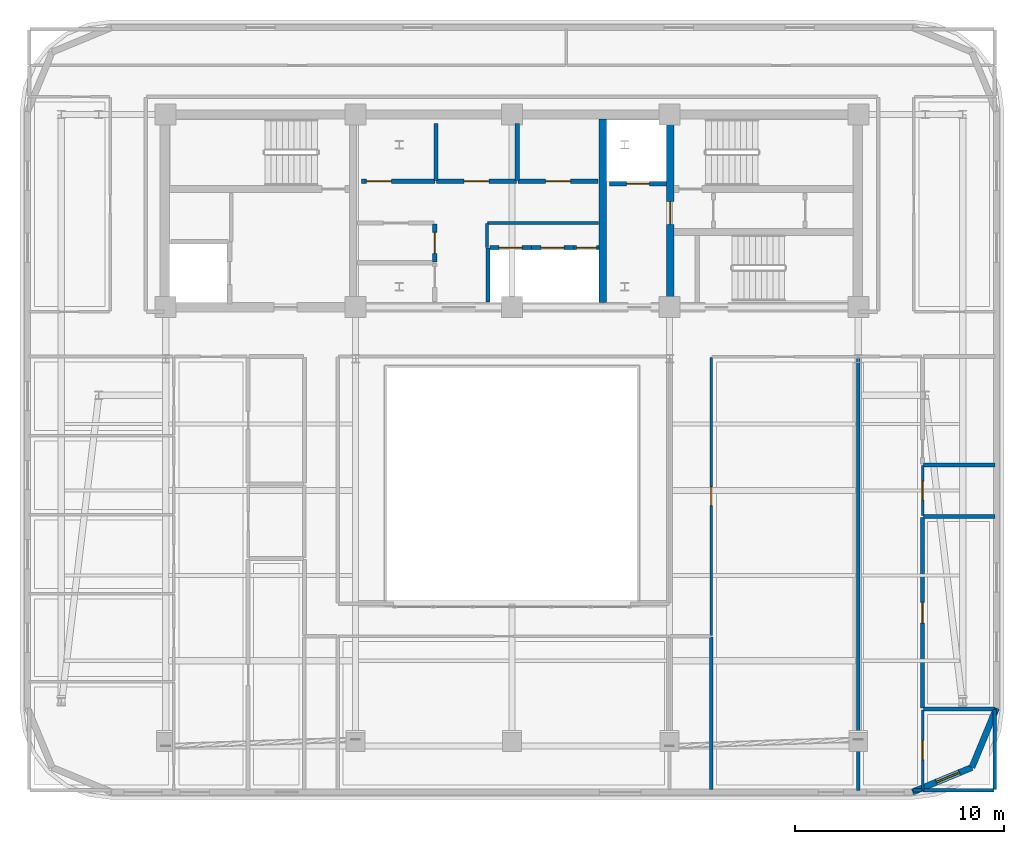
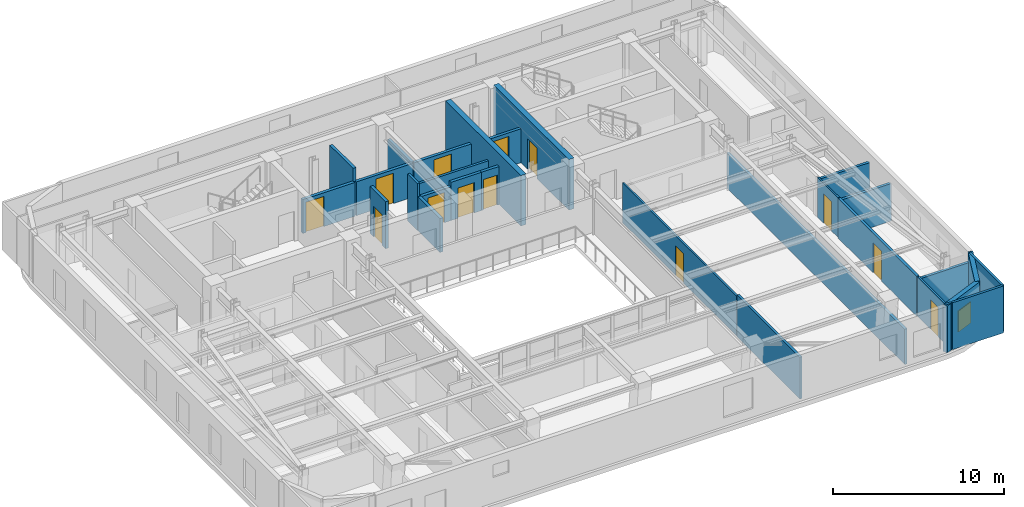
# One storey, part 8 of 14: 29 walls, 13 doors, 1 window, 14 openings.
"""IFC4 building model written with IfcOpenShell, lengths in metres."""

from ifc_helpers import new_model, si_unit, direction, frame, frame_2d, origin, place, context, subcontext, project, spatial, rectangle, extrude, material, layer, layer_set, type_object, element, fill, save


model = new_model("IFC4")

# Units and contexts
model_context = context("Model", 3, precision=1e-05, world=origin(), true_north=direction((0.0, 1.0)))
body_context = subcontext(model_context, "Body", "Model", "MODEL_VIEW")
ifc_project = project(units=[si_unit("LENGTHUNIT", "METRE"), si_unit("AREAUNIT", "SQUARE_METRE"), si_unit("VOLUMEUNIT", "CUBIC_METRE"), si_unit("PLANEANGLEUNIT", "RADIAN"), si_unit("MASSUNIT", "GRAM", prefix="KILO")], contexts=[model_context])

# Site, building, storey
site_placement = place(None, origin())
site = spatial("IfcSite", under=ifc_project, at=site_placement, CompositionType="ELEMENT")
building_placement = place(site_placement, origin())
building = spatial("IfcBuilding", under=site, at=building_placement, Name="Zarnavel Station Tower", CompositionType="ELEMENT")
storey_placement = place(building_placement, frame((0.0, 0.0, 211.199951171875)))
storey = spatial("IfcBuildingStorey", under=building, at=storey_placement, Name="L57", CompositionType="ELEMENT", Elevation=211.199951171875)

# Wall
ifc_material_1 = material(Name="Concrete C50/60", Category="concrete")
ifc_layer_1 = layer(ifc_material_1, 0.35009765625)
ifc_layer_set_1 = layer_set([ifc_layer_1], Name="CW_350")
wall_type_1 = type_object("IfcWallType", Name="CW_350", PredefinedType="SHEAR", material=ifc_layer_set_1)
wall_1_placement = place(storey_placement, frame((33.14990234375, 28.044921875, 0.0), z_axis=(0.0, 0.0, 1.0), x_axis=(0.0, 1.0, 0.0)))
element("IfcWall", 1, at=wall_1_placement, inside=storey, type_object=wall_type_1, Name="L57 Rear Core Shear Wall DIV-E", PredefinedType="SHEAR", context=body_context, shape_type="SweptSolid", body=[
    extrude(rectangle(XDim=8.780029296875, YDim=0.35009765625, at=frame_2d((4.39013671875, 0.0))), origin(), (0.0, 0.0, 1.0), 3.60009765625),
])

# Wall, opening, door
wall_2_placement = place(storey_placement, frame((36.3798828125, 28.044921875, 0.0), z_axis=(0.0, 0.0, 1.0), x_axis=(0.0, 1.0, 0.0)))
wall_2 = element("IfcWall", 2, at=wall_2_placement, inside=storey, type_object=wall_type_1, Name="L57 Rear Core Shear Wall DIV-S2", PredefinedType="SHEAR", context=body_context, shape_type="SweptSolid", body=[
    extrude(rectangle(XDim=8.780029296875, YDim=0.35009765625, at=frame_2d((4.39013671875, 0.0))), origin(), (0.0, 0.0, 1.0), 3.60009765625),
])
opening_1_placement = place(wall_2_placement, frame((3.735107421875, 0.0, 0.0)))
opening_1 = element("IfcOpeningElement", 3, at=opening_1_placement, cuts=wall_2, Name="Opening FD01", PredefinedType="OPENING", context=body_context, shape_type="SweptSolid", body=[
    extrude(rectangle(XDim=1.10009765625, YDim=2.14990234375, at=frame_2d((0.550048828125, 1.074951171875))), frame((0.0, 0.18505859375, 0.0), z_axis=(0.0, -1.0, 0.0), x_axis=(1.0, 0.0, 0.0)), (0.0, 0.0, 1.0), 0.3701171875),
])
ifc_material_2 = material(Name="Painted Galvanised Steel and Hardwood Leaf", Category="steel")
door_type_1 = type_object("IfcDoorType", Name="ID_STAIR_1100", OperationType="NOTDEFINED", PredefinedType="DOOR", material=ifc_material_2)
door_1_placement = place(opening_1_placement, origin())
door_1 = element("IfcDoor", 4, at=door_1_placement, inside=storey, type_object=door_type_1, Name="L57 East Stair Vestibule Fire Door", OperationType="SINGLE_SWING_LEFT", OverallHeight=2.14990234375, OverallWidth=1.10009765625, PredefinedType="DOOR", context=body_context, shape_type="SweptSolid", body=[
    extrude(rectangle(XDim=1.10009765625, YDim=2.14990234375, at=frame_2d((0.550048828125, 1.074951171875))), frame((0.0, 0.02490234375, 0.0), z_axis=(0.0, -1.0, 0.0), x_axis=(1.0, 0.0, 0.0)), (0.0, 0.0, 1.0), 0.050048828125),
])
fill(opening_1, door_1)

# Wall, opening, window
ifc_material_3 = material(Name="Precast concrete C45/55 (Dark Basalt Finish)", Category="masonry")
ifc_layer_2 = layer(ifc_material_3, 0.300048828125)
ifc_layer_set_2 = layer_set([ifc_layer_2], Name="EW_BASALT_300")
wall_type_2 = type_object("IfcWallType", Name="EW_BASALT_300", PredefinedType="SOLIDWALL", material=ifc_layer_set_2)
wall_3_placement = place(storey_placement, frame((50.842529296875, 5.75732421875, 0.0), z_axis=(0.0, 0.0, 1.0), x_axis=(-0.92389884758, -0.382636798336, 0.0)))
wall_3 = element("IfcWall", 5, at=wall_3_placement, inside=storey, type_object=wall_type_2, Name="L57 Exterior Basalt Masonry Frame Wall 01", PredefinedType="SOLIDWALL", context=body_context, shape_type="SweptSolid", body=[
    extrude(rectangle(XDim=3.07666015625, YDim=0.300048828125, at=frame_2d((1.538330078125, 0.0))), origin(), (0.0, 0.0, 1.0), 3.340087890625),
])
opening_2_placement = place(wall_3_placement, frame((0.643798828125, 0.0, 0.75)))
opening_2 = element("IfcOpeningElement", 6, at=opening_2_placement, cuts=wall_3, Name="Opening WN08", PredefinedType="OPENING", context=body_context, shape_type="SweptSolid", body=[
    extrude(rectangle(XDim=1.199951171875, YDim=1.5, at=frame_2d((0.60009765625, 0.75))), frame((0.0, 0.159912109375, 0.0), z_axis=(0.0, -1.0, 0.0), x_axis=(1.0, 0.0, 0.0)), (0.0, 0.0, 1.0), 0.320068359375),
])
ifc_material_4 = material(Name="Thermally Broken Black Aluminium and Low-E Dark Glass", Category="aluminium")
window_type = type_object("IfcWindowType", Name="WN_1200x1500", PartitioningType="SINGLE_PANEL", PredefinedType="WINDOW", material=ifc_material_4)
window_placement = place(opening_2_placement, origin())
window = element("IfcWindow", 7, at=window_placement, inside=storey, type_object=window_type, Name="L57 Recessed Facade Window 01", OverallHeight=1.5, OverallWidth=1.199951171875, PartitioningType="SINGLE_PANEL", PredefinedType="WINDOW", context=body_context, shape_type="SweptSolid", body=[
    extrude(rectangle(XDim=1.199951171875, YDim=1.5, at=frame_2d((0.60009765625, 0.75))), frame((0.0, 0.030029296875, 0.0), z_axis=(0.0, -1.0, 0.0), x_axis=(1.0, 0.0, 0.0)), (0.0, 0.0, 1.0), 0.06005859375),
])
fill(opening_2, window)

# Walls
wall_4_placement = place(storey_placement, frame((52.02001953125, 8.60009765625, 0.0), z_axis=(0.0, 0.0, 1.0), x_axis=(-0.382676475685, -0.923882414032, 0.0)))
element("IfcWall", 8, at=wall_4_placement, inside=storey, type_object=wall_type_2, Name="L57 Exterior Basalt Masonry Frame Wall 02", PredefinedType="SOLIDWALL", context=body_context, shape_type="SweptSolid", body=[
    extrude(rectangle(XDim=3.076904296875, YDim=0.300048828125, at=frame_2d((1.53857421875, 0.0))), origin(), (0.0, 0.0, 1.0), 3.340087890625),
])
ifc_material_5 = material(Name="Gypsum Twin-Stud Acoustic Fire Partition", Category="concrete")
ifc_layer_3 = layer(ifc_material_5, 0.159912109375)
ifc_layer_set_3 = layer_set([ifc_layer_3], Name="PT_DEMISE_160")
wall_type_3 = type_object("IfcWallType", Name="PT_DEMISE_160", PredefinedType="PARTITIONING", material=ifc_layer_set_3)
wall_5_placement = place(storey_placement, frame((45.39990234375, 4.659912109375, 0.0), z_axis=(0.0, 0.0, 1.0), x_axis=(0.0, 1.0, 0.0)))
element("IfcWall", 9, at=wall_5_placement, inside=storey, type_object=wall_type_3, Name="L57 Partition L57FIT-UE1LV", PredefinedType="PARTITIONING", context=body_context, shape_type="SweptSolid", body=[
    extrude(rectangle(XDim=20.75, YDim=0.159912109375, at=frame_2d((10.375, 0.0))), origin(), (0.0, 0.0, 1.0), 2.52001953125),
])
wall_6_placement = place(storey_placement, frame((27.6298828125, 31.85009765625, 0.0), z_axis=(0.0, 0.0, 1.0), x_axis=(1.0, 0.0, 0.0)))
element("IfcWall", 10, at=wall_6_placement, inside=storey, type_object=wall_type_3, Name="L57 Enclosure Wall LLOB", PredefinedType="PARTITIONING", context=body_context, shape_type="SweptSolid", body=[
    extrude(rectangle(XDim=5.31005859375, YDim=0.159912109375, at=frame_2d((2.655029296875, 0.0))), origin(), (0.0, 0.0, 1.0), 2.41015625),
])
wall_7_placement = place(storey_placement, frame((27.60009765625, 30.679931640625, 0.0), z_axis=(0.0, 0.0, 1.0), x_axis=(0.0, 1.0, 0.0)))
element("IfcWall", 11, at=wall_7_placement, inside=storey, type_object=wall_type_3, Name="L57 Enclosure Wall LLOBS", PredefinedType="PARTITIONING", context=body_context, shape_type="SweptSolid", body=[
    extrude(rectangle(XDim=1.14013671875, YDim=0.159912109375, at=frame_2d((0.570068359375, 0.0))), origin(), (0.0, 0.0, 1.0), 3.340087890625),
])
wall_8_placement = place(storey_placement, frame((38.35009765625, 4.68994140625, 0.0), z_axis=(0.0, 0.0, 1.0), x_axis=(0.0, 1.0, 0.0)))
element("IfcWall", 12, at=wall_8_placement, inside=storey, type_object=wall_type_3, Name="L57 Enclosure Wall L57FIT", PredefinedType="PARTITIONING", context=body_context, shape_type="SweptSolid", body=[
    extrude(rectangle(XDim=7.330078125, YDim=0.159912109375, at=frame_2d((3.6650390625, 0.0))), origin(), (0.0, 0.0, 1.0), 2.969970703125),
])
wall_9_placement = place(storey_placement, frame((48.030029296875, 4.659912109375, 0.0), z_axis=(0.0, 0.0, 1.0), x_axis=(1.0, 0.0, 0.0)))
element("IfcWall", 13, at=wall_9_placement, inside=storey, type_object=wall_type_3, Name="L57 Enclosure Wall UE1LV", PredefinedType="PARTITIONING", context=body_context, shape_type="SweptSolid", body=[
    extrude(rectangle(XDim=0.4140625, YDim=0.159912109375, at=frame_2d((0.20703125, 0.0))), origin(), (0.0, 0.0, 1.0), 3.340087890625),
])
wall_10_placement = place(storey_placement, frame((48.50390625, 4.659912109375, 0.0), z_axis=(0.0, 0.0, 1.0), x_axis=(1.0, 0.0, 0.0)))
element("IfcWall", 14, at=wall_10_placement, inside=storey, type_object=wall_type_3, Name="L57 Enclosure Wall UE1B1", PredefinedType="PARTITIONING", context=body_context, shape_type="SweptSolid", body=[
    extrude(rectangle(XDim=3.406005859375, YDim=0.159912109375, at=frame_2d((1.703125, 0.0))), origin(), (0.0, 0.0, 1.0), 3.340087890625),
])
wall_11_placement = place(storey_placement, frame((51.93994140625, 4.68994140625, 0.0), z_axis=(0.0, 0.0, 1.0), x_axis=(0.0, 1.0, 0.0)))
element("IfcWall", 15, at=wall_11_placement, inside=storey, type_object=wall_type_3, Name="L57 Enclosure Wall UE1B1", PredefinedType="PARTITIONING", context=body_context, shape_type="SweptSolid", body=[
    extrude(rectangle(XDim=3.8349609375, YDim=0.159912109375, at=frame_2d((1.91748046875, 0.0))), origin(), (0.0, 0.0, 1.0), 3.340087890625),
])

# Wall, opening, door
ifc_material_6 = material(Name="Gypsum Metal-Stud Interior Partition", Category="concrete")
ifc_layer_4 = layer(ifc_material_6, 0.1201171875)
ifc_layer_set_4 = layer_set([ifc_layer_4], Name="PT_ROOM_120")
wall_type_4 = type_object("IfcWallType", Name="PT_ROOM_120", PredefinedType="PARTITIONING", material=ifc_layer_set_4)
wall_12_placement = place(storey_placement, frame((38.35009765625, 12.090087890625, 0.0), z_axis=(0.0, 0.0, 1.0), x_axis=(0.0, 1.0, 0.0)))
wall_12 = element("IfcWall", 16, at=wall_12_placement, inside=storey, type_object=wall_type_4, Name="L57 Partition COR-AE-L57FIT", PredefinedType="PARTITIONING", context=body_context, shape_type="SweptSolid", body=[
    extrude(rectangle(XDim=13.31982421875, YDim=0.1201171875, at=frame_2d((6.659912109375, 0.0))), origin(), (0.0, 0.0, 1.0), 2.820068359375),
])
opening_3_placement = place(wall_12_placement, frame((6.2099609375, 0.0, 0.0)))
opening_3 = element("IfcOpeningElement", 17, at=opening_3_placement, cuts=wall_12, Name="Opening ID01", PredefinedType="OPENING", context=body_context, shape_type="SweptSolid", body=[
    extrude(rectangle(XDim=0.89990234375, YDim=2.10009765625, at=frame_2d((0.449951171875, 1.050048828125))), frame((0.0, 0.070068359375, 0.0), z_axis=(0.0, -1.0, 0.0), x_axis=(1.0, 0.0, 0.0)), (0.0, 0.0, 1.0), 0.14013671875),
])
ifc_material_7 = material(Name="Painted Galvanised Steel and Hardwood Leaf", Category="steel")
door_type_2 = type_object("IfcDoorType", Name="ID_ROOM_900", OperationType="NOTDEFINED", PredefinedType="DOOR", material=ifc_material_7)
door_2_placement = place(opening_3_placement, origin())
door_2 = element("IfcDoor", 18, at=door_2_placement, inside=storey, type_object=door_type_2, Name="L57 Door COR-AE-L57FIT", OperationType="SINGLE_SWING_RIGHT", OverallHeight=2.10009765625, OverallWidth=0.89990234375, PredefinedType="DOOR", context=body_context, shape_type="SweptSolid", body=[
    extrude(rectangle(XDim=0.89990234375, YDim=2.10009765625, at=frame_2d((0.449951171875, 1.050048828125))), frame((0.0, 0.02490234375, 0.0), z_axis=(0.0, -1.0, 0.0), x_axis=(1.0, 0.0, 0.0)), (0.0, 0.0, 1.0), 0.050048828125),
])
fill(opening_3, door_2)

wall_13_placement = place(storey_placement, frame((48.47412109375, 4.659912109375, 0.0), z_axis=(0.0, 0.0, 1.0), x_axis=(0.0, 1.0, 0.0)))
wall_13 = element("IfcWall", 19, at=wall_13_placement, inside=storey, type_object=wall_type_4, Name="L57 Partition UE1LV-UE1B1", PredefinedType="PARTITIONING", context=body_context, shape_type="SweptSolid", body=[
    extrude(rectangle(XDim=3.85498046875, YDim=0.1201171875, at=frame_2d((1.927490234375, 0.0))), origin(), (0.0, 0.0, 1.0), 2.820068359375),
])
opening_4_placement = place(wall_13_placement, frame((1.4775390625, 0.0, 0.0)))
opening_4 = element("IfcOpeningElement", 20, at=opening_4_placement, cuts=wall_13, Name="Opening ID01", PredefinedType="OPENING", context=body_context, shape_type="SweptSolid", body=[
    extrude(rectangle(XDim=0.89990234375, YDim=2.10009765625, at=frame_2d((0.449951171875, 1.050048828125))), frame((0.0, 0.070068359375, 0.0), z_axis=(0.0, -1.0, 0.0), x_axis=(1.0, 0.0, 0.0)), (0.0, 0.0, 1.0), 0.14013671875),
])
door_3_placement = place(opening_4_placement, origin())
door_3 = element("IfcDoor", 21, at=door_3_placement, inside=storey, type_object=door_type_2, Name="L57 Door UE1LV-UE1B1", OperationType="SINGLE_SWING_RIGHT", OverallHeight=2.10009765625, OverallWidth=0.89990234375, PredefinedType="DOOR", context=body_context, shape_type="SweptSolid", body=[
    extrude(rectangle(XDim=0.89990234375, YDim=2.10009765625, at=frame_2d((0.449951171875, 1.050048828125))), frame((0.0, 0.02490234375, 0.0), z_axis=(0.0, -1.0, 0.0), x_axis=(1.0, 0.0, 0.0)), (0.0, 0.0, 1.0), 0.050048828125),
])
fill(opening_4, door_3)

wall_14_placement = place(storey_placement, frame((48.47412109375, 17.827880859375, 0.0), z_axis=(0.0, 0.0, 1.0), x_axis=(0.0, 1.0, 0.0)))
wall_14 = element("IfcWall", 22, at=wall_14_placement, inside=storey, type_object=wall_type_4, Name="L57 Partition UE1LV-UE1UT", PredefinedType="PARTITIONING", context=body_context, shape_type="SweptSolid", body=[
    extrude(rectangle(XDim=2.38916015625, YDim=0.1201171875, at=frame_2d((1.194580078125, 0.0))), origin(), (0.0, 0.0, 1.0), 2.820068359375),
])
opening_5_placement = place(wall_14_placement, frame((0.744384765625, 0.0, 0.0)))
opening_5 = element("IfcOpeningElement", 23, at=opening_5_placement, cuts=wall_14, Name="Opening ID01", PredefinedType="OPENING", context=body_context, shape_type="SweptSolid", body=[
    extrude(rectangle(XDim=0.89990234375, YDim=2.10009765625, at=frame_2d((0.449951171875, 1.050048828125))), frame((0.0, 0.070068359375, 0.0), z_axis=(0.0, -1.0, 0.0), x_axis=(1.0, 0.0, 0.0)), (0.0, 0.0, 1.0), 0.14013671875),
])
door_4_placement = place(opening_5_placement, origin())
door_4 = element("IfcDoor", 24, at=door_4_placement, inside=storey, type_object=door_type_2, Name="L57 Door UE1LV-UE1UT", OperationType="SINGLE_SWING_RIGHT", OverallHeight=2.10009765625, OverallWidth=0.89990234375, PredefinedType="DOOR", context=body_context, shape_type="SweptSolid", body=[
    extrude(rectangle(XDim=0.89990234375, YDim=2.10009765625, at=frame_2d((0.449951171875, 1.050048828125))), frame((0.0, 0.02490234375, 0.0), z_axis=(0.0, -1.0, 0.0), x_axis=(1.0, 0.0, 0.0)), (0.0, 0.0, 1.0), 0.050048828125),
])
fill(opening_5, door_4)

ifc_material_8 = material(Name="Precast concrete C45/55 (Fire Shaft Blockwork)", Category="masonry")
ifc_layer_5 = layer(ifc_material_8, 0.199951171875)
ifc_layer_set_5 = layer_set([ifc_layer_5], Name="PT_SHAFT_200")
wall_type_5 = type_object("IfcWallType", Name="PT_SHAFT_200", PredefinedType="PARTITIONING", material=ifc_layer_set_5)
wall_15_placement = place(storey_placement, frame((33.47509765625, 33.72998046875, 0.0), z_axis=(0.0, 0.0, 1.0), x_axis=(1.0, 0.0, 0.0)))
wall_15 = element("IfcWall", 25, at=wall_15_placement, inside=storey, type_object=wall_type_5, Name="L57 Lift FFL-02 Shaft Front Wall", PredefinedType="PARTITIONING", context=body_context, shape_type="SweptSolid", body=[
    extrude(rectangle(XDim=2.724853515625, YDim=0.199951171875, at=frame_2d((1.3623046875, 0.0))), origin(), (0.0, 0.0, 1.0), 2.41015625),
])
opening_6_placement = place(wall_15_placement, frame((0.8125, 0.0, 0.0)))
opening_6 = element("IfcOpeningElement", 26, at=opening_6_placement, cuts=wall_15, Name="Opening LD01", PredefinedType="OPENING", context=body_context, shape_type="SweptSolid", body=[
    extrude(rectangle(XDim=1.10009765625, YDim=2.14990234375, at=frame_2d((0.550048828125, 1.074951171875))), frame((0.0, 0.10986328125, 0.0), z_axis=(0.0, -1.0, 0.0), x_axis=(1.0, 0.0, 0.0)), (0.0, 0.0, 1.0), 0.219970703125),
])
ifc_material_9 = material(Name="Painted Galvanised Steel and Hardwood Leaf", Category="steel")
door_type_3 = type_object("IfcDoorType", Name="LD_FF_1100", OperationType="DOUBLE_DOOR_SLIDING", PredefinedType="DOOR", material=ifc_material_9)
door_5_placement = place(opening_6_placement, origin())
door_5 = element("IfcDoor", 27, at=door_5_placement, inside=storey, type_object=door_type_3, Name="L57 Lift FFL-02 Sliding Landing Door", OperationType="DOUBLE_DOOR_SLIDING", OverallHeight=2.14990234375, OverallWidth=1.10009765625, PredefinedType="DOOR", context=body_context, shape_type="SweptSolid", body=[
    extrude(rectangle(XDim=1.10009765625, YDim=2.14990234375, at=frame_2d((0.550048828125, 1.074951171875))), frame((0.0, 0.02490234375, 0.0), z_axis=(0.0, -1.0, 0.0), x_axis=(1.0, 0.0, 0.0)), (0.0, 0.0, 1.0), 0.050048828125),
])
fill(opening_6, door_5)

wall_16_placement = place(storey_placement, frame((27.75, 30.669921875, 0.0), z_axis=(0.0, 0.0, 1.0), x_axis=(1.0, 0.0, 0.0)))
wall_16 = element("IfcWall", 28, at=wall_16_placement, inside=storey, type_object=wall_type_5, Name="L57 Lift PL-H1 Shaft Front Wall", PredefinedType="PARTITIONING", context=body_context, shape_type="SweptSolid", body=[
    extrude(rectangle(XDim=1.97509765625, YDim=0.199951171875, at=frame_2d((0.987548828125, 0.0))), origin(), (0.0, 0.0, 1.0), 2.41015625),
])
opening_7_placement = place(wall_16_placement, frame((0.4375, 0.0, 0.0)))
opening_7 = element("IfcOpeningElement", 29, at=opening_7_placement, cuts=wall_16, Name="Opening LD02", PredefinedType="OPENING", context=body_context, shape_type="SweptSolid", body=[
    extrude(rectangle(XDim=1.10009765625, YDim=2.14990234375, at=frame_2d((0.550048828125, 1.074951171875))), frame((0.0, 0.10986328125, 0.0), z_axis=(0.0, -1.0, 0.0), x_axis=(1.0, 0.0, 0.0)), (0.0, 0.0, 1.0), 0.219970703125),
])
ifc_material_10 = material(Name="Painted Galvanised Steel and Hardwood Leaf", Category="steel")
door_type_4 = type_object("IfcDoorType", Name="LD_PAX_1100", OperationType="DOUBLE_DOOR_SLIDING", PredefinedType="DOOR", material=ifc_material_10)
door_6_placement = place(opening_7_placement, origin())
door_6 = element("IfcDoor", 30, at=door_6_placement, inside=storey, type_object=door_type_4, Name="L57 Lift PL-H1 Sliding Landing Door", OperationType="DOUBLE_DOOR_SLIDING", OverallHeight=2.14990234375, OverallWidth=1.10009765625, PredefinedType="DOOR", context=body_context, shape_type="SweptSolid", body=[
    extrude(rectangle(XDim=1.10009765625, YDim=2.14990234375, at=frame_2d((0.550048828125, 1.074951171875))), frame((0.0, 0.02490234375, 0.0), z_axis=(0.0, -1.0, 0.0), x_axis=(1.0, 0.0, 0.0)), (0.0, 0.0, 1.0), 0.050048828125),
])
fill(opening_7, door_6)

# Wall
wall_17_placement = place(storey_placement, frame((27.64990234375, 28.070068359375, 0.0), z_axis=(0.0, 0.0, 1.0), x_axis=(0.0, 1.0, 0.0)))
element("IfcWall", 31, at=wall_17_placement, inside=storey, type_object=wall_type_5, Name="L57 High-Rise Lift Bank West Shaft Wall", PredefinedType="PARTITIONING", context=body_context, shape_type="SweptSolid", body=[
    extrude(rectangle(XDim=2.579833984375, YDim=0.199951171875, at=frame_2d((1.2900390625, 0.0))), origin(), (0.0, 0.0, 1.0), 2.41015625),
])

# Wall, opening, door
wall_18_placement = place(storey_placement, frame((29.72509765625, 30.669921875, 0.0), z_axis=(0.0, 0.0, 1.0), x_axis=(1.0, 0.0, 0.0)))
wall_18 = element("IfcWall", 32, at=wall_18_placement, inside=storey, type_object=wall_type_5, Name="L57 Lift PL-H2 Shaft Front Wall", PredefinedType="PARTITIONING", context=body_context, shape_type="SweptSolid", body=[
    extrude(rectangle(XDim=2.0498046875, YDim=0.199951171875, at=frame_2d((1.02490234375, 0.0))), origin(), (0.0, 0.0, 1.0), 2.719970703125),
])
opening_8_placement = place(wall_18_placement, frame((0.47509765625, 0.0, 0.0)))
opening_8 = element("IfcOpeningElement", 33, at=opening_8_placement, cuts=wall_18, Name="Opening LD02", PredefinedType="OPENING", context=body_context, shape_type="SweptSolid", body=[
    extrude(rectangle(XDim=1.10009765625, YDim=2.14990234375, at=frame_2d((0.550048828125, 1.074951171875))), frame((0.0, 0.10986328125, 0.0), z_axis=(0.0, -1.0, 0.0), x_axis=(1.0, 0.0, 0.0)), (0.0, 0.0, 1.0), 0.219970703125),
])
door_7_placement = place(opening_8_placement, origin())
door_7 = element("IfcDoor", 34, at=door_7_placement, inside=storey, type_object=door_type_4, Name="L57 Lift PL-H2 Sliding Landing Door", OperationType="DOUBLE_DOOR_SLIDING", OverallHeight=2.14990234375, OverallWidth=1.10009765625, PredefinedType="DOOR", context=body_context, shape_type="SweptSolid", body=[
    extrude(rectangle(XDim=1.10009765625, YDim=2.14990234375, at=frame_2d((0.550048828125, 1.074951171875))), frame((0.0, 0.02490234375, 0.0), z_axis=(0.0, -1.0, 0.0), x_axis=(1.0, 0.0, 0.0)), (0.0, 0.0, 1.0), 0.050048828125),
])
fill(opening_8, door_7)

wall_19_placement = place(storey_placement, frame((31.77490234375, 30.669921875, 0.0), z_axis=(0.0, 0.0, 1.0), x_axis=(1.0, 0.0, 0.0)))
wall_19 = element("IfcWall", 35, at=wall_19_placement, inside=storey, type_object=wall_type_5, Name="L57 Lift PL-H3 Shaft Front Wall", PredefinedType="PARTITIONING", context=body_context, shape_type="SweptSolid", body=[
    extrude(rectangle(XDim=1.2001953125, YDim=0.199951171875, at=frame_2d((0.60009765625, 0.0))), origin(), (0.0, 0.0, 1.0), 2.719970703125),
])
opening_9_placement = place(wall_19_placement, frame((0.125, 0.0, 0.0)))
opening_9 = element("IfcOpeningElement", 36, at=opening_9_placement, cuts=wall_19, Name="Opening LD03", PredefinedType="OPENING", context=body_context, shape_type="SweptSolid", body=[
    extrude(rectangle(XDim=0.949951171875, YDim=2.14990234375, at=frame_2d((0.47509765625, 1.074951171875))), frame((0.0, 0.10986328125, 0.0), z_axis=(0.0, -1.0, 0.0), x_axis=(1.0, 0.0, 0.0)), (0.0, 0.0, 1.0), 0.219970703125),
])
ifc_material_11 = material(Name="Painted Galvanised Steel and Hardwood Leaf", Category="steel")
door_type_5 = type_object("IfcDoorType", Name="LD_PAX_0950", OperationType="DOUBLE_DOOR_SLIDING", PredefinedType="DOOR", material=ifc_material_11)
door_8_placement = place(opening_9_placement, origin())
door_8 = element("IfcDoor", 37, at=door_8_placement, inside=storey, type_object=door_type_5, Name="L57 Lift PL-H3 Sliding Landing Door", OperationType="DOUBLE_DOOR_SLIDING", OverallHeight=2.14990234375, OverallWidth=0.949951171875, PredefinedType="DOOR", context=body_context, shape_type="SweptSolid", body=[
    extrude(rectangle(XDim=0.949951171875, YDim=2.14990234375, at=frame_2d((0.47509765625, 1.074951171875))), frame((0.0, 0.02490234375, 0.0), z_axis=(0.0, -1.0, 0.0), x_axis=(1.0, 0.0, 0.0)), (0.0, 0.0, 1.0), 0.050048828125),
])
fill(opening_9, door_8)

wall_20_placement = place(storey_placement, frame((25.110107421875, 33.85009765625, 0.0), z_axis=(0.0, 0.0, 1.0), x_axis=(-1.0, 0.0, 0.0)))
wall_20 = element("IfcWall", 38, at=wall_20_placement, inside=storey, type_object=wall_type_5, Name="L57 Partition LLOB-FB2A", PredefinedType="PARTITIONING", context=body_context, shape_type="SweptSolid", body=[
    extrude(rectangle(XDim=3.52001953125, YDim=0.199951171875, at=frame_2d((1.760009765625, 0.0))), origin(), (0.0, 0.0, 1.0), 2.41015625),
])
opening_10_placement = place(wall_20_placement, frame((2.094970703125, 0.0, 0.0)))
opening_10 = element("IfcOpeningElement", 39, at=opening_10_placement, cuts=wall_20, Name="Opening FD03", PredefinedType="OPENING", context=body_context, shape_type="SweptSolid", body=[
    extrude(rectangle(XDim=1.199951171875, YDim=2.14990234375, at=frame_2d((0.60009765625, 1.074951171875))), frame((0.0, 0.10986328125, 0.0), z_axis=(0.0, -1.0, 0.0), x_axis=(1.0, 0.0, 0.0)), (0.0, 0.0, 1.0), 0.219970703125),
])
ifc_material_12 = material(Name="Painted Galvanised Steel and Hardwood Leaf", Category="steel")
door_type_6 = type_object("IfcDoorType", Name="ID_PLANT_1200", OperationType="NOTDEFINED", PredefinedType="DOOR", material=ifc_material_12)
door_9_placement = place(opening_10_placement, origin())
door_9 = element("IfcDoor", 40, at=door_9_placement, inside=storey, type_object=door_type_6, Name="L57 Door LLOB-FB2A", OperationType="SINGLE_SWING_RIGHT", OverallHeight=2.14990234375, OverallWidth=1.199951171875, PredefinedType="DOOR", context=body_context, shape_type="SweptSolid", body=[
    extrude(rectangle(XDim=1.199951171875, YDim=2.14990234375, at=frame_2d((0.60009765625, 1.074951171875))), frame((0.0, 0.02490234375, 0.0), z_axis=(0.0, -1.0, 0.0), x_axis=(1.0, 0.0, 0.0)), (0.0, 0.0, 1.0), 0.050048828125),
])
fill(opening_10, door_9)

wall_21_placement = place(storey_placement, frame((25.18994140625, 33.85009765625, 0.0), z_axis=(0.0, 0.0, 1.0), x_axis=(1.0, 0.0, 0.0)))
wall_21 = element("IfcWall", 41, at=wall_21_placement, inside=storey, type_object=wall_type_5, Name="L57 Partition LLOB-FB2B", PredefinedType="PARTITIONING", context=body_context, shape_type="SweptSolid", body=[
    extrude(rectangle(XDim=3.820068359375, YDim=0.199951171875, at=frame_2d((1.91015625, 0.0))), origin(), (0.0, 0.0, 1.0), 2.41015625),
])
opening_11_placement = place(wall_21_placement, frame((1.31005859375, 0.0, 0.0)))
opening_11 = element("IfcOpeningElement", 42, at=opening_11_placement, cuts=wall_21, Name="Opening FD03", PredefinedType="OPENING", context=body_context, shape_type="SweptSolid", body=[
    extrude(rectangle(XDim=1.199951171875, YDim=2.14990234375, at=frame_2d((0.60009765625, 1.074951171875))), frame((0.0, 0.10986328125, 0.0), z_axis=(0.0, -1.0, 0.0), x_axis=(1.0, 0.0, 0.0)), (0.0, 0.0, 1.0), 0.219970703125),
])
door_10_placement = place(opening_11_placement, origin())
door_10 = element("IfcDoor", 43, at=door_10_placement, inside=storey, type_object=door_type_6, Name="L57 Door LLOB-FB2B", OperationType="SINGLE_SWING_LEFT", OverallHeight=2.14990234375, OverallWidth=1.199951171875, PredefinedType="DOOR", context=body_context, shape_type="SweptSolid", body=[
    extrude(rectangle(XDim=1.199951171875, YDim=2.14990234375, at=frame_2d((0.60009765625, 1.074951171875))), frame((0.0, 0.02490234375, 0.0), z_axis=(0.0, -1.0, 0.0), x_axis=(1.0, 0.0, 0.0)), (0.0, 0.0, 1.0), 0.050048828125),
])
fill(opening_11, door_10)

wall_22_placement = place(storey_placement, frame((29.090087890625, 33.85009765625, 0.0), z_axis=(0.0, 0.0, 1.0), x_axis=(1.0, 0.0, 0.0)))
wall_22 = element("IfcWall", 44, at=wall_22_placement, inside=storey, type_object=wall_type_5, Name="L57 Partition LLOB-FB2C", PredefinedType="PARTITIONING", context=body_context, shape_type="SweptSolid", body=[
    extrude(rectangle(XDim=3.83984375, YDim=0.199951171875, at=frame_2d((1.919921875, 0.0))), origin(), (0.0, 0.0, 1.0), 2.41015625),
])
opening_12_placement = place(wall_22_placement, frame((1.320068359375, 0.0, 0.0)))
opening_12 = element("IfcOpeningElement", 45, at=opening_12_placement, cuts=wall_22, Name="Opening FD03", PredefinedType="OPENING", context=body_context, shape_type="SweptSolid", body=[
    extrude(rectangle(XDim=1.199951171875, YDim=2.14990234375, at=frame_2d((0.60009765625, 1.074951171875))), frame((0.0, 0.10986328125, 0.0), z_axis=(0.0, -1.0, 0.0), x_axis=(1.0, 0.0, 0.0)), (0.0, 0.0, 1.0), 0.219970703125),
])
door_11_placement = place(opening_12_placement, origin())
door_11 = element("IfcDoor", 46, at=door_11_placement, inside=storey, type_object=door_type_6, Name="L57 Door LLOB-FB2C", OperationType="SINGLE_SWING_RIGHT", OverallHeight=2.14990234375, OverallWidth=1.199951171875, PredefinedType="DOOR", context=body_context, shape_type="SweptSolid", body=[
    extrude(rectangle(XDim=1.199951171875, YDim=2.14990234375, at=frame_2d((0.60009765625, 1.074951171875))), frame((0.0, 0.02490234375, 0.0), z_axis=(0.0, -1.0, 0.0), x_axis=(1.0, 0.0, 0.0)), (0.0, 0.0, 1.0), 0.050048828125),
])
fill(opening_12, door_11)

wall_23_placement = place(storey_placement, frame((25.10009765625, 29.989990234375, 0.0), z_axis=(0.0, 0.0, 1.0), x_axis=(0.0, 1.0, 0.0)))
wall_23 = element("IfcWall", 47, at=wall_23_placement, inside=storey, type_object=wall_type_5, Name="L57 Partition LLOBS-CS2", PredefinedType="PARTITIONING", context=body_context, shape_type="SweptSolid", body=[
    extrude(rectangle(XDim=1.820068359375, YDim=0.199951171875, at=frame_2d((0.91015625, 0.0))), origin(), (0.0, 0.0, 1.0), 3.340087890625),
])
opening_13_placement = place(wall_23_placement, frame((0.409912109375, 0.0, 0.0)))
opening_13 = element("IfcOpeningElement", 48, at=opening_13_placement, cuts=wall_23, Name="Opening FD02", PredefinedType="OPENING", context=body_context, shape_type="SweptSolid", body=[
    extrude(rectangle(XDim=1.0, YDim=2.14990234375, at=frame_2d((0.5, 1.074951171875))), frame((0.0, 0.10986328125, 0.0), z_axis=(0.0, -1.0, 0.0), x_axis=(1.0, 0.0, 0.0)), (0.0, 0.0, 1.0), 0.219970703125),
])
ifc_material_13 = material(Name="Painted Galvanised Steel and Hardwood Leaf", Category="steel")
door_type_7 = type_object("IfcDoorType", Name="ID_ENTRY_1000", OperationType="NOTDEFINED", PredefinedType="DOOR", material=ifc_material_13)
door_12_placement = place(opening_13_placement, origin())
door_12 = element("IfcDoor", 49, at=door_12_placement, inside=storey, type_object=door_type_7, Name="L57 Door LLOBS-CS2", OperationType="SINGLE_SWING_RIGHT", OverallHeight=2.14990234375, OverallWidth=1.0, PredefinedType="DOOR", context=body_context, shape_type="SweptSolid", body=[
    extrude(rectangle(XDim=1.0, YDim=2.14990234375, at=frame_2d((0.5, 1.074951171875))), frame((0.0, 0.02490234375, 0.0), z_axis=(0.0, -1.0, 0.0), x_axis=(1.0, 0.0, 0.0)), (0.0, 0.0, 1.0), 0.050048828125),
])
fill(opening_13, door_12)

# Walls
wall_24_placement = place(storey_placement, frame((25.14990234375, 33.889892578125, 0.0), z_axis=(0.0, 0.0, 1.0), x_axis=(0.0, 1.0, 0.0)))
element("IfcWall", 50, at=wall_24_placement, inside=storey, type_object=wall_type_5, Name="L57 Partition FB2A-FB2B", PredefinedType="PARTITIONING", context=body_context, shape_type="SweptSolid", body=[
    extrude(rectangle(XDim=2.72021484375, YDim=0.199951171875, at=frame_2d((1.360107421875, 0.0))), origin(), (0.0, 0.0, 1.0), 3.340087890625),
])
wall_25_placement = place(storey_placement, frame((29.050048828125, 33.889892578125, 0.0), z_axis=(0.0, 0.0, 1.0), x_axis=(0.0, 1.0, 0.0)))
element("IfcWall", 51, at=wall_25_placement, inside=storey, type_object=wall_type_5, Name="L57 Partition FB2B-FB2C", PredefinedType="PARTITIONING", context=body_context, shape_type="SweptSolid", body=[
    extrude(rectangle(XDim=2.72021484375, YDim=0.199951171875, at=frame_2d((1.360107421875, 0.0))), origin(), (0.0, 0.0, 1.0), 2.41015625),
])

# Wall, opening, door
ifc_material_14 = material(Name="Moisture-Resistant Plumbing Chase Wall", Category="concrete")
ifc_layer_6 = layer(ifc_material_14, 0.179931640625)
ifc_layer_set_6 = layer_set([ifc_layer_6], Name="PW_PLUMB_180")
wall_type_6 = type_object("IfcWallType", Name="PW_PLUMB_180", PredefinedType="PLUMBINGWALL", material=ifc_layer_set_6)
wall_26_placement = place(storey_placement, frame((48.47412109375, 8.594970703125, 0.0), z_axis=(0.0, 0.0, 1.0), x_axis=(0.0, 1.0, 0.0)))
wall_26 = element("IfcWall", 52, at=wall_26_placement, inside=storey, type_object=wall_type_6, Name="L57 Partition UE1LV-UE1KT", PredefinedType="PLUMBINGWALL", context=body_context, shape_type="SweptSolid", body=[
    extrude(rectangle(XDim=9.153076171875, YDim=0.179931640625, at=frame_2d((4.57666015625, 0.0))), origin(), (0.0, 0.0, 1.0), 2.820068359375),
])
opening_14_placement = place(wall_26_placement, frame((4.076416015625, 0.0, 0.0)))
opening_14 = element("IfcOpeningElement", 53, at=opening_14_placement, cuts=wall_26, Name="Opening FD02", PredefinedType="OPENING", context=body_context, shape_type="SweptSolid", body=[
    extrude(rectangle(XDim=1.0, YDim=2.14990234375, at=frame_2d((0.5, 1.074951171875))), frame((0.0, 0.099853515625, 0.0), z_axis=(0.0, -1.0, 0.0), x_axis=(1.0, 0.0, 0.0)), (0.0, 0.0, 1.0), 0.199951171875),
])
door_13_placement = place(opening_14_placement, origin())
door_13 = element("IfcDoor", 54, at=door_13_placement, inside=storey, type_object=door_type_7, Name="L57 Door UE1LV-UE1KT", OperationType="SINGLE_SWING_LEFT", OverallHeight=2.14990234375, OverallWidth=1.0, PredefinedType="DOOR", context=body_context, shape_type="SweptSolid", body=[
    extrude(rectangle(XDim=1.0, YDim=2.14990234375, at=frame_2d((0.5, 1.074951171875))), frame((0.0, 0.02490234375, 0.0), z_axis=(0.0, -1.0, 0.0), x_axis=(1.0, 0.0, 0.0)), (0.0, 0.0, 1.0), 0.050048828125),
])
fill(opening_14, door_13)

# Walls
for number, where, z_axis, x_axis, name in (
    (55, (48.513916015625, 8.554931640625, 0.0), (0.0, 0.0, 1.0), (1.0, 0.0, 0.0), "L57 Partition UE1B1-UE1KT"),
    (56, (48.513916015625, 17.7880859375, 0.0), (0.0, 0.0, 1.0), (1.0, 0.0, 0.0), "L57 Partition UE1KT-UE1UT"),
    (57, (48.513916015625, 20.257080078125, 0.0), (0.0, 0.0, 1.0), (1.0, 0.0, 0.0), "L57 Partition UE1UT-UE1BA"),
):
    element("IfcWall", number, at=place(storey_placement, frame(where, z_axis=z_axis, x_axis=x_axis)), inside=storey, type_object=wall_type_6, Name=name, PredefinedType="PLUMBINGWALL", context=body_context, shape_type="SweptSolid", body=[
        extrude(rectangle(XDim=3.426025390625, YDim=0.179931640625, at=frame_2d((1.712890625, 0.0))), origin(), (0.0, 0.0, 1.0), 2.670166015625),
    ])

save(model, "model.ifc")
